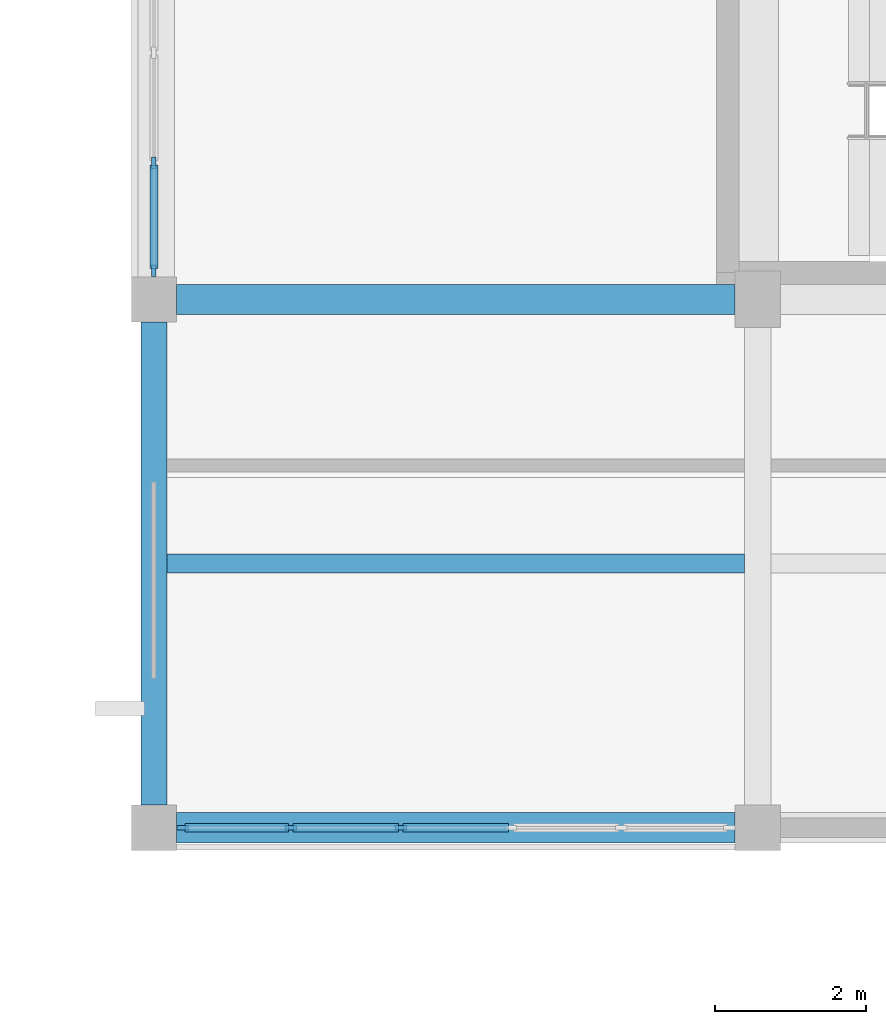
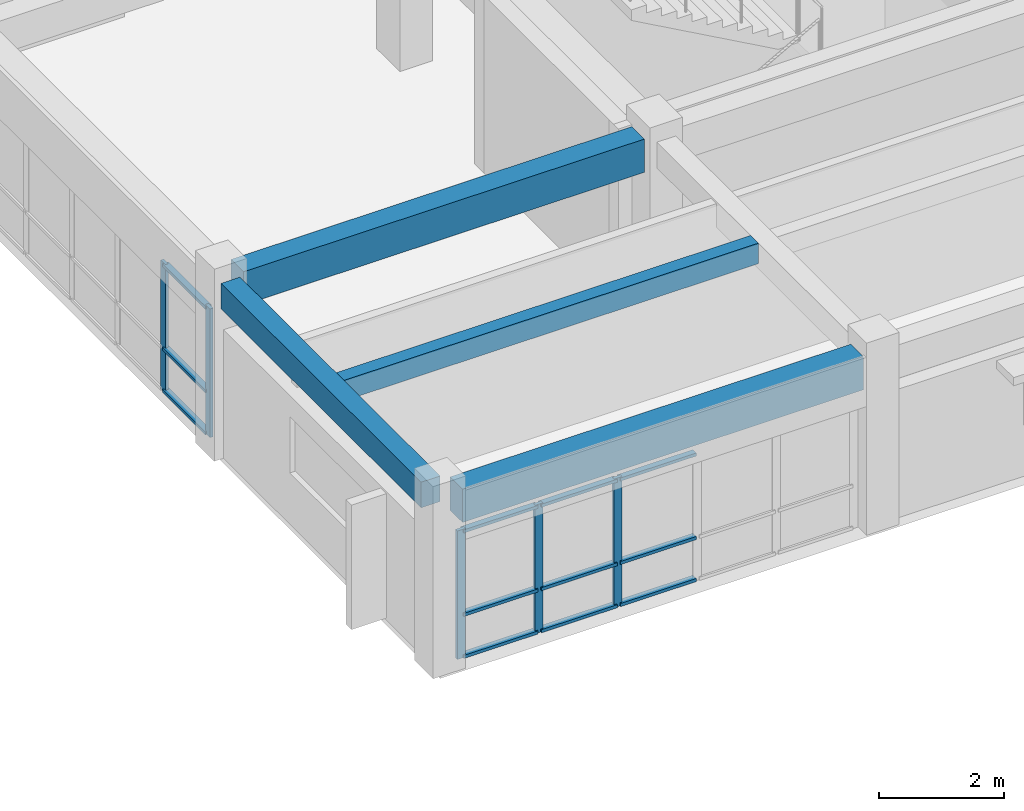
# One storey, part 5 of 33: 17 members, 4 beams, 2 elements without a shape of their own.
"""IFC4 building model written with IfcOpenShell, lengths in metres."""

from ifc_helpers import new_model, si_unit, direction, frame, origin, origin_2d, place, context, subcontext, project, spatial, rectangle, extrude, material, layer, layer_set, material_profile, profile_set, type_object, element, aggregate, save


model = new_model("IFC4")

# Units and contexts
model_context = context("Model", 3, precision=1e-05, world=origin(), true_north=direction((0.0, 1.0)))
body_context = subcontext(model_context, "Body", "Model", "MODEL_VIEW")
ifc_project = project(units=[si_unit("LENGTHUNIT", "METRE"), si_unit("AREAUNIT", "SQUARE_METRE"), si_unit("VOLUMEUNIT", "CUBIC_METRE"), si_unit("PLANEANGLEUNIT", "RADIAN"), si_unit("MASSUNIT", "GRAM", prefix="KILO")], contexts=[model_context])

# Site, building, storey
site_placement = place(None, origin())
site = spatial("IfcSite", under=ifc_project, at=site_placement, CompositionType="ELEMENT")
building_placement = place(site_placement, origin())
building = spatial("IfcBuilding", under=site, at=building_placement, Name="Naurynzar Civic Courthouse", CompositionType="ELEMENT")
storey_placement = place(building_placement, frame((0.0, 0.0, 22.050048828125)))
storey = spatial("IfcBuildingStorey", under=building, at=storey_placement, Name="L06", CompositionType="ELEMENT", Elevation=22.050048828125)

# Beams
ifc_material_1 = material(Name="Concrete C40/50", Category="concrete")
ifc_material_profile_1 = material_profile(ifc_material_1, rectangle(XDim=0.25, YDim=0.39990234375, at=origin_2d()), Name="RCB 250x400")
ifc_profile_set_1 = profile_set([ifc_material_profile_1], Name="Concrete C40/50")
beam_type_1 = type_object("IfcBeamType", Name="BM-JST-250x400", PredefinedType="JOIST", material=ifc_profile_set_1)
beam_1_placement = place(storey_placement, frame((130.175048828125, 13.5, 3.22998046875), z_axis=(1.0, 0.0, 0.0), x_axis=(0.0, 1.0, 0.0)))
element("IfcBeam", 1, at=beam_1_placement, inside=storey, type_object=beam_type_1, Name="V5 secondary rib 2796 L06", PredefinedType="JOIST", context=body_context, shape_type="SweptSolid", body=[
    extrude(rectangle(XDim=0.25, YDim=0.39990234375, at=origin_2d()), origin(), (0.0, 0.0, 1.0), 7.64990234375),
])
ifc_material_2 = material(Name="Concrete C40/50", Category="concrete")
ifc_material_profile_2 = material_profile(ifc_material_2, rectangle(XDim=0.35009765625, YDim=0.5, at=origin_2d()), Name="RCB 350x500")
ifc_profile_set_2 = profile_set([ifc_material_profile_2], Name="Concrete C40/50")
beam_type_2 = type_object("IfcBeamType", Name="BM-RC-350x500", PredefinedType="BEAM", material=ifc_profile_set_2)
beam_2_placement = place(storey_placement, frame((130.0, 10.300048828125, 3.179931640625), z_axis=(0.0, 1.0, 0.0), x_axis=(-1.0, 0.0, 0.0)))
element("IfcBeam", 2, at=beam_2_placement, inside=storey, type_object=beam_type_2, Name="V5 girder Y-2759 L06", PredefinedType="BEAM", context=body_context, shape_type="SweptSolid", body=[
    extrude(rectangle(XDim=0.35009765625, YDim=0.5, at=origin_2d()), origin(), (0.0, 0.0, 1.0), 6.39990234375),
])
ifc_material_3 = material(Name="Concrete C40/50", Category="concrete")
ifc_material_profile_3 = material_profile(ifc_material_3, rectangle(XDim=0.39990234375, YDim=0.64990234375, at=origin_2d()), Name="RCB 400x650")
ifc_profile_set_3 = profile_set([ifc_material_profile_3], Name="Concrete C40/50")
beam_type_3 = type_object("IfcBeamType", Name="BM-RC-400x650", PredefinedType="BEAM", material=ifc_profile_set_3)
for number, where, z_axis, x_axis, name in (
    (3, (130.300048828125, 10.0, 3.10498046875), (1.0, 0.0, 0.0), (0.0, 1.0, 0.0), "V5 beam X-2725 L06"),
    (4, (130.300048828125, 17.0, 3.10498046875), (1.0, 0.0, 0.0), (0.0, 1.0, 0.0), "V5 beam X-2729 L06"),
):
    element("IfcBeam", number, at=place(storey_placement, frame(where, z_axis=z_axis, x_axis=x_axis)), inside=storey, type_object=beam_type_3, Name=name, PredefinedType="BEAM", context=body_context, shape_type="SweptSolid", body=[
        extrude(rectangle(XDim=0.39990234375, YDim=0.64990234375, at=origin_2d()), origin(), (0.0, 0.0, 1.0), 7.39990234375),
    ])

# Curtain wall, members
ifc_material_4 = material(Name="Aluminium 6063-T6", Category="aluminium")
ifc_layer = layer(ifc_material_4, 0.179931640625)
ifc_layer_set = layer_set([ifc_layer], Name="CW-UNIT-1500")
curtain_wall_type = type_object("IfcCurtainWallType", Name="CW-UNIT-1500", PredefinedType="NOTDEFINED", material=ifc_layer_set)
curtain_wall_1_placement = place(storey_placement, origin())
curtain_wall_1 = element("IfcCurtainWall", 5, at=curtain_wall_1_placement, inside=storey, type_object=curtain_wall_type, Name="V5 unitised curtain wall 106 L06", PredefinedType="NOTDEFINED")
ifc_material_5 = material(Name="Aluminium 6063-T6", Category="aluminium")
ifc_material_profile_4 = material_profile(ifc_material_5, rectangle(XDim=0.06005859375, YDim=0.14990234375, at=origin_2d()), Name="ALU MULLION 60x150")
ifc_profile_set_4 = profile_set([ifc_material_profile_4], Name="Aluminium 6063-T6")
member_type_1 = type_object("IfcMemberType", Name="CWM-60x150", PredefinedType="MULLION", material=ifc_profile_set_4)
member_1_placement = place(storey_placement, frame((130.0, 17.3798828125, 0.0), z_axis=(0.0, 0.0, 1.0), x_axis=(-1.0, 0.0, 0.0)))
member_1 = element("IfcMember", 6, at=member_1_placement, type_object=member_type_1, Name="CW-01 mullion 1", PredefinedType="MULLION", context=body_context, shape_type="SweptSolid", body=[
    extrude(rectangle(XDim=0.06005859375, YDim=0.14990234375, at=origin_2d()), origin(), (0.0, 0.0, 1.0), 2.510009765625),
])
member_2_placement = place(storey_placement, frame((130.0, 18.81005859375, 0.0), z_axis=(0.0, 0.0, 1.0), x_axis=(-1.0, 0.0, 0.0)))
member_2 = element("IfcMember", 7, at=member_2_placement, type_object=member_type_1, Name="CW-01 mullion 2", PredefinedType="MULLION", context=body_context, shape_type="SweptSolid", body=[
    extrude(rectangle(XDim=0.06005859375, YDim=0.14990234375, at=origin_2d()), origin(), (0.0, 0.0, 1.0), 2.510009765625),
])

curtain_wall_2_placement = place(storey_placement, origin())
curtain_wall_2 = element("IfcCurtainWall", 8, at=curtain_wall_2_placement, inside=storey, type_object=curtain_wall_type, Name="V5 unitised curtain wall 111 L06", PredefinedType="NOTDEFINED")
member_3_placement = place(storey_placement, frame((133.27001953125, 10.0, 0.0), z_axis=(0.0, 0.0, 1.0), x_axis=(0.0, -1.0, 0.0)))
member_3 = element("IfcMember", 9, at=member_3_placement, type_object=member_type_1, Name="CW-01 mullion 4", PredefinedType="MULLION", context=body_context, shape_type="SweptSolid", body=[
    extrude(rectangle(XDim=0.06005859375, YDim=0.14990234375, at=origin_2d()), origin(), (0.0, 0.0, 1.0), 2.510009765625),
])
member_4_placement = place(storey_placement, frame((131.81005859375, 10.0, 0.0), z_axis=(0.0, 0.0, 1.0), x_axis=(0.0, -1.0, 0.0)))
member_4 = element("IfcMember", 10, at=member_4_placement, type_object=member_type_1, Name="CW-01 mullion 5", PredefinedType="MULLION", context=body_context, shape_type="SweptSolid", body=[
    extrude(rectangle(XDim=0.06005859375, YDim=0.14990234375, at=origin_2d()), origin(), (0.0, 0.0, 1.0), 2.510009765625),
])
member_5_placement = place(storey_placement, frame((130.3798828125, 10.0, 0.0), z_axis=(0.0, 0.0, 1.0), x_axis=(0.0, -1.0, 0.0)))
member_5 = element("IfcMember", 11, at=member_5_placement, type_object=member_type_1, Name="CW-01 mullion 6", PredefinedType="MULLION", context=body_context, shape_type="SweptSolid", body=[
    extrude(rectangle(XDim=0.06005859375, YDim=0.14990234375, at=origin_2d()), origin(), (0.0, 0.0, 1.0), 2.510009765625),
])

# Member
ifc_material_6 = material(Name="Aluminium 6063-T6", Category="aluminium")
ifc_material_profile_5 = material_profile(ifc_material_6, rectangle(XDim=0.110107421875, YDim=0.06005859375, at=origin_2d()), Name="ALU TRANSOM 60x110")
ifc_profile_set_5 = profile_set([ifc_material_profile_5], Name="Aluminium 6063-T6")
member_type_2 = type_object("IfcMemberType", Name="CWT-60x110", PredefinedType="USERDEFINED", material=ifc_profile_set_5)
member_6_placement = place(storey_placement, frame((130.0, 17.409912109375, 0.030029296875), z_axis=(0.0, 1.0, 0.0), x_axis=(-1.0, 0.0, 0.0)))
member_6 = element("IfcMember", 12, at=member_6_placement, type_object=member_type_2, Name="CW-01 transom 1.1", ObjectType="TRANSOM", PredefinedType="USERDEFINED", context=body_context, shape_type="SweptSolid", body=[
    extrude(rectangle(XDim=0.110107421875, YDim=0.06005859375, at=origin_2d()), origin(), (0.0, 0.0, 1.0), 1.3701171875),
])

member_7_placement = place(storey_placement, frame((130.0, 17.409912109375, 0.849853515625), z_axis=(0.0, 1.0, 0.0), x_axis=(-1.0, 0.0, 0.0)))
member_7 = element("IfcMember", 13, at=member_7_placement, type_object=member_type_2, Name="CW-01 transom 1.2", ObjectType="TRANSOM", PredefinedType="USERDEFINED", context=body_context, shape_type="SweptSolid", body=[
    extrude(rectangle(XDim=0.110107421875, YDim=0.06005859375, at=origin_2d()), origin(), (0.0, 0.0, 1.0), 1.3701171875),
])

member_8_placement = place(storey_placement, frame((130.0, 17.409912109375, 2.47998046875), z_axis=(0.0, 1.0, 0.0), x_axis=(-1.0, 0.0, 0.0)))
member_8 = element("IfcMember", 14, at=member_8_placement, type_object=member_type_2, Name="CW-01 transom 1.3", ObjectType="TRANSOM", PredefinedType="USERDEFINED", context=body_context, shape_type="SweptSolid", body=[
    extrude(rectangle(XDim=0.110107421875, YDim=0.06005859375, at=origin_2d()), origin(), (0.0, 0.0, 1.0), 1.3701171875),
])

aggregate(curtain_wall_1, [member_1, member_2, member_6, member_7, member_8])

member_9_placement = place(storey_placement, frame((134.699951171875, 10.0, 0.030029296875), z_axis=(-1.0, 0.0, 0.0), x_axis=(0.0, -1.0, 0.0)))
member_9 = element("IfcMember", 15, at=member_9_placement, type_object=member_type_2, Name="CW-01 transom 3.1", ObjectType="TRANSOM", PredefinedType="USERDEFINED", context=body_context, shape_type="SweptSolid", body=[
    extrude(rectangle(XDim=0.110107421875, YDim=0.06005859375, at=origin_2d()), origin(), (0.0, 0.0, 1.0), 1.39990234375),
])

member_10_placement = place(storey_placement, frame((134.699951171875, 10.0, 0.849853515625), z_axis=(-1.0, 0.0, 0.0), x_axis=(0.0, -1.0, 0.0)))
member_10 = element("IfcMember", 16, at=member_10_placement, type_object=member_type_2, Name="CW-01 transom 3.2", ObjectType="TRANSOM", PredefinedType="USERDEFINED", context=body_context, shape_type="SweptSolid", body=[
    extrude(rectangle(XDim=0.110107421875, YDim=0.06005859375, at=origin_2d()), origin(), (0.0, 0.0, 1.0), 1.39990234375),
])

member_11_placement = place(storey_placement, frame((134.699951171875, 10.0, 2.47998046875), z_axis=(-1.0, 0.0, 0.0), x_axis=(0.0, -1.0, 0.0)))
member_11 = element("IfcMember", 17, at=member_11_placement, type_object=member_type_2, Name="CW-01 transom 3.3", ObjectType="TRANSOM", PredefinedType="USERDEFINED", context=body_context, shape_type="SweptSolid", body=[
    extrude(rectangle(XDim=0.110107421875, YDim=0.06005859375, at=origin_2d()), origin(), (0.0, 0.0, 1.0), 1.39990234375),
])

member_12_placement = place(storey_placement, frame((133.239990234375, 10.0, 0.030029296875), z_axis=(-1.0, 0.0, 0.0), x_axis=(0.0, -1.0, 0.0)))
member_12 = element("IfcMember", 18, at=member_12_placement, type_object=member_type_2, Name="CW-01 transom 4.1", ObjectType="TRANSOM", PredefinedType="USERDEFINED", context=body_context, shape_type="SweptSolid", body=[
    extrude(rectangle(XDim=0.110107421875, YDim=0.06005859375, at=origin_2d()), origin(), (0.0, 0.0, 1.0), 1.39990234375),
])

member_13_placement = place(storey_placement, frame((133.239990234375, 10.0, 0.849853515625), z_axis=(-1.0, 0.0, 0.0), x_axis=(0.0, -1.0, 0.0)))
member_13 = element("IfcMember", 19, at=member_13_placement, type_object=member_type_2, Name="CW-01 transom 4.2", ObjectType="TRANSOM", PredefinedType="USERDEFINED", context=body_context, shape_type="SweptSolid", body=[
    extrude(rectangle(XDim=0.110107421875, YDim=0.06005859375, at=origin_2d()), origin(), (0.0, 0.0, 1.0), 1.39990234375),
])

member_14_placement = place(storey_placement, frame((133.239990234375, 10.0, 2.47998046875), z_axis=(-1.0, 0.0, 0.0), x_axis=(0.0, -1.0, 0.0)))
member_14 = element("IfcMember", 20, at=member_14_placement, type_object=member_type_2, Name="CW-01 transom 4.3", ObjectType="TRANSOM", PredefinedType="USERDEFINED", context=body_context, shape_type="SweptSolid", body=[
    extrude(rectangle(XDim=0.110107421875, YDim=0.06005859375, at=origin_2d()), origin(), (0.0, 0.0, 1.0), 1.39990234375),
])

member_15_placement = place(storey_placement, frame((131.780029296875, 10.0, 0.030029296875), z_axis=(-1.0, 0.0, 0.0), x_axis=(0.0, -1.0, 0.0)))
member_15 = element("IfcMember", 21, at=member_15_placement, type_object=member_type_2, Name="CW-01 transom 5.1", ObjectType="TRANSOM", PredefinedType="USERDEFINED", context=body_context, shape_type="SweptSolid", body=[
    extrude(rectangle(XDim=0.110107421875, YDim=0.06005859375, at=origin_2d()), origin(), (0.0, 0.0, 1.0), 1.3701171875),
])

member_16_placement = place(storey_placement, frame((131.780029296875, 10.0, 0.849853515625), z_axis=(-1.0, 0.0, 0.0), x_axis=(0.0, -1.0, 0.0)))
member_16 = element("IfcMember", 22, at=member_16_placement, type_object=member_type_2, Name="CW-01 transom 5.2", ObjectType="TRANSOM", PredefinedType="USERDEFINED", context=body_context, shape_type="SweptSolid", body=[
    extrude(rectangle(XDim=0.110107421875, YDim=0.06005859375, at=origin_2d()), origin(), (0.0, 0.0, 1.0), 1.3701171875),
])

member_17_placement = place(storey_placement, frame((131.780029296875, 10.0, 2.47998046875), z_axis=(-1.0, 0.0, 0.0), x_axis=(0.0, -1.0, 0.0)))
member_17 = element("IfcMember", 23, at=member_17_placement, type_object=member_type_2, Name="CW-01 transom 5.3", ObjectType="TRANSOM", PredefinedType="USERDEFINED", context=body_context, shape_type="SweptSolid", body=[
    extrude(rectangle(XDim=0.110107421875, YDim=0.06005859375, at=origin_2d()), origin(), (0.0, 0.0, 1.0), 1.3701171875),
])

aggregate(curtain_wall_2, [member_3, member_4, member_5, member_9, member_10, member_11, member_12, member_13, member_14, member_15, member_16, member_17])

save(model, "model.ifc")
